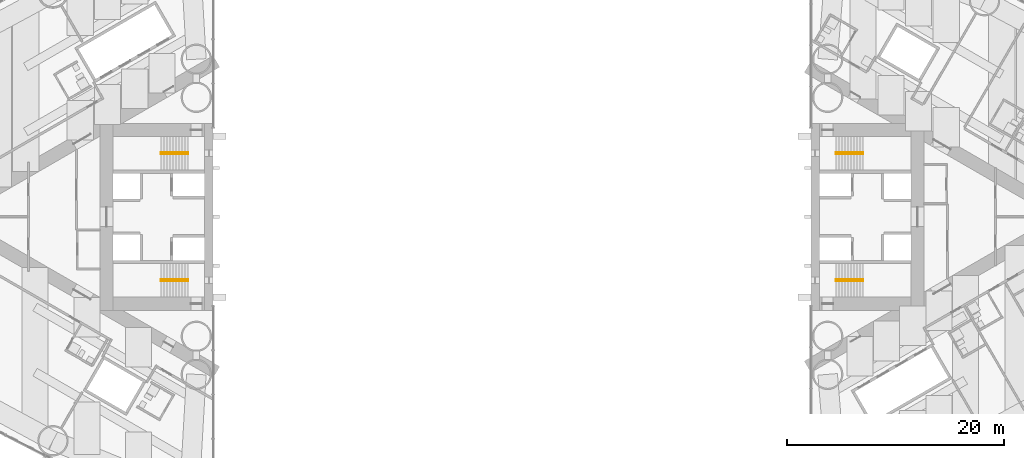
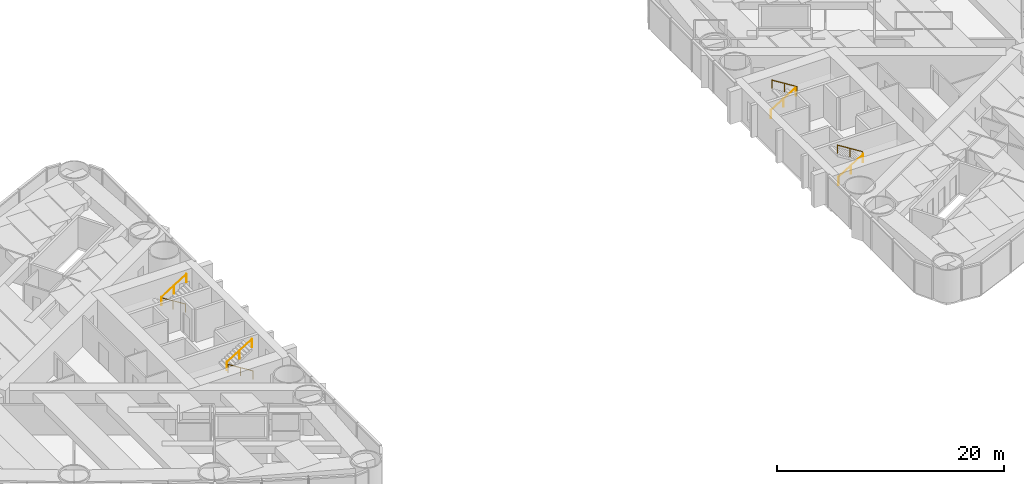
# One storey, part 18 of 19: 8 railings.
"""IFC4 building model written with IfcOpenShell, lengths in metres."""

from ifc_helpers import new_model, si_unit, direction, frame, origin, origin_2d, place, context, subcontext, project, spatial, circle, extrude, material, type_object, element, save


model = new_model("IFC4")

# Units and contexts
model_context = context("Model", 3, precision=1e-05, world=origin(), true_north=direction((0.0, 1.0)))
body_context = subcontext(model_context, "Body", "Model", "MODEL_VIEW")
ifc_project = project(units=[si_unit("LENGTHUNIT", "METRE"), si_unit("AREAUNIT", "SQUARE_METRE"), si_unit("VOLUMEUNIT", "CUBIC_METRE"), si_unit("PLANEANGLEUNIT", "RADIAN"), si_unit("MASSUNIT", "GRAM", prefix="KILO")], contexts=[model_context])

# Site, building, storey
site_placement = place(None, origin())
site = spatial("IfcSite", under=ifc_project, at=site_placement, CompositionType="ELEMENT")
building_placement = place(site_placement, origin())
building = spatial("IfcBuilding", under=site, at=building_placement, Name="Lancet Gate Hotel", CompositionType="ELEMENT")
storey_placement = place(building_placement, frame((0.0, 0.0, 63.5)))
storey = spatial("IfcBuildingStorey", under=building, at=storey_placement, Name="L16", CompositionType="ELEMENT", Elevation=63.5)

# Railings
ifc_material = material(Name="Stainless steel handrail", Category="steel")
railing_type = type_object("IfcRailingType", Name="Stair handrail 900", PredefinedType="HANDRAIL", material=ifc_material)
railing_1_placement = place(storey_placement, frame((-29.800048828125, 5.929931640625, 0.175048828125)))
element("IfcRailing", 1, at=railing_1_placement, inside=storey, type_object=railing_type, Name="ST1 handrail flight 1 L16", PredefinedType="HANDRAIL", context=body_context, shape_type="SweptSolid", body=[
    extrude(circle(Radius=0.02392578125, at=origin_2d()), frame((0.0, 0.0, 0.8759765625), z_axis=(-0.848007534815, 0.0, 0.529984170421), x_axis=(0.0, -1.0, 0.0)), (0.0, 0.0, 1.0), 2.9716796875),
    extrude(circle(Radius=0.02099609375, at=origin_2d()), origin(), (0.0, 0.0, 1.0), 0.851806640625),
    extrude(circle(Radius=0.02099609375, at=origin_2d()), frame((-1.260009765625, 0.0, 0.78759765625)), (0.0, 0.0, 1.0), 0.851806640625),
    extrude(circle(Radius=0.02099609375, at=origin_2d()), frame((-2.52001953125, 0.0, 1.574951171875)), (0.0, 0.0, 1.0), 0.851806640625),
])
railing_2_placement = place(storey_placement, frame((-32.320068359375, 5.77001953125, 1.925048828125)))
element("IfcRailing", 2, at=railing_2_placement, inside=storey, type_object=railing_type, Name="ST1 handrail flight 2 L16", PredefinedType="HANDRAIL", context=body_context, shape_type="SweptSolid", body=[
    extrude(circle(Radius=0.02392578125, at=origin_2d()), frame((0.0, 0.0, 0.8759765625), z_axis=(0.848007534815, 0.0, 0.529984170421), x_axis=(0.0, 1.0, 0.0)), (0.0, 0.0, 1.0), 2.9716796875),
    extrude(circle(Radius=0.02099609375, at=origin_2d()), origin(), (0.0, 0.0, 1.0), 0.851806640625),
    extrude(circle(Radius=0.02099609375, at=origin_2d()), frame((1.260009765625, 0.0, 0.78759765625)), (0.0, 0.0, 1.0), 0.851806640625),
    extrude(circle(Radius=0.02099609375, at=origin_2d()), frame((2.52001953125, 0.0, 1.574951171875)), (0.0, 0.0, 1.0), 0.851806640625),
])
railing_3_placement = place(storey_placement, frame((-29.800048828125, -5.929931640625, 0.175048828125)))
element("IfcRailing", 3, at=railing_3_placement, inside=storey, type_object=railing_type, Name="ST2 handrail flight 1 L16", PredefinedType="HANDRAIL", context=body_context, shape_type="SweptSolid", body=[
    extrude(circle(Radius=0.02392578125, at=origin_2d()), frame((0.0, 0.0, 0.8759765625), z_axis=(-0.848007534815, 0.0, 0.529984170421), x_axis=(0.0, -1.0, 0.0)), (0.0, 0.0, 1.0), 2.9716796875),
    extrude(circle(Radius=0.02099609375, at=origin_2d()), origin(), (0.0, 0.0, 1.0), 0.851806640625),
    extrude(circle(Radius=0.02099609375, at=origin_2d()), frame((-1.260009765625, 0.0, 0.78759765625)), (0.0, 0.0, 1.0), 0.851806640625),
    extrude(circle(Radius=0.02099609375, at=origin_2d()), frame((-2.52001953125, 0.0, 1.574951171875)), (0.0, 0.0, 1.0), 0.851806640625),
])
for number, where, name in (
    (4, (-32.320068359375, -5.77001953125, 1.925048828125), "ST2 handrail flight 2 L16"),
    (5, (29.800048828125, -5.929931640625, 0.175048828125), "ST3 handrail flight 1 L16"),
):
    element("IfcRailing", number, at=place(storey_placement, frame(where)), inside=storey, type_object=railing_type, Name=name, PredefinedType="HANDRAIL", context=body_context, shape_type="SweptSolid", body=[
        extrude(circle(Radius=0.02392578125, at=origin_2d()), frame((0.0, 0.0, 0.8759765625), z_axis=(0.848007534815, 0.0, 0.529984170421), x_axis=(0.0, 1.0, 0.0)), (0.0, 0.0, 1.0), 2.9716796875),
        extrude(circle(Radius=0.02099609375, at=origin_2d()), origin(), (0.0, 0.0, 1.0), 0.851806640625),
        extrude(circle(Radius=0.02099609375, at=origin_2d()), frame((1.260009765625, 0.0, 0.78759765625)), (0.0, 0.0, 1.0), 0.851806640625),
        extrude(circle(Radius=0.02099609375, at=origin_2d()), frame((2.52001953125, 0.0, 1.574951171875)), (0.0, 0.0, 1.0), 0.851806640625),
    ])
railing_4_placement = place(storey_placement, frame((32.320068359375, -5.77001953125, 1.925048828125)))
element("IfcRailing", 6, at=railing_4_placement, inside=storey, type_object=railing_type, Name="ST3 handrail flight 2 L16", PredefinedType="HANDRAIL", context=body_context, shape_type="SweptSolid", body=[
    extrude(circle(Radius=0.02392578125, at=origin_2d()), frame((0.0, 0.0, 0.8759765625), z_axis=(-0.848007534815, 0.0, 0.529984170421), x_axis=(0.0, -1.0, 0.0)), (0.0, 0.0, 1.0), 2.9716796875),
    extrude(circle(Radius=0.02099609375, at=origin_2d()), origin(), (0.0, 0.0, 1.0), 0.851806640625),
    extrude(circle(Radius=0.02099609375, at=origin_2d()), frame((-1.260009765625, 0.0, 0.78759765625)), (0.0, 0.0, 1.0), 0.851806640625),
    extrude(circle(Radius=0.02099609375, at=origin_2d()), frame((-2.52001953125, 0.0, 1.574951171875)), (0.0, 0.0, 1.0), 0.851806640625),
])
railing_5_placement = place(storey_placement, frame((29.800048828125, 5.929931640625, 0.175048828125)))
element("IfcRailing", 7, at=railing_5_placement, inside=storey, type_object=railing_type, Name="ST4 handrail flight 1 L16", PredefinedType="HANDRAIL", context=body_context, shape_type="SweptSolid", body=[
    extrude(circle(Radius=0.02392578125, at=origin_2d()), frame((0.0, 0.0, 0.8759765625), z_axis=(0.848007534815, 0.0, 0.529984170421), x_axis=(0.0, 1.0, 0.0)), (0.0, 0.0, 1.0), 2.9716796875),
    extrude(circle(Radius=0.02099609375, at=origin_2d()), origin(), (0.0, 0.0, 1.0), 0.851806640625),
    extrude(circle(Radius=0.02099609375, at=origin_2d()), frame((1.260009765625, 0.0, 0.78759765625)), (0.0, 0.0, 1.0), 0.851806640625),
    extrude(circle(Radius=0.02099609375, at=origin_2d()), frame((2.52001953125, 0.0, 1.574951171875)), (0.0, 0.0, 1.0), 0.851806640625),
])
railing_6_placement = place(storey_placement, frame((32.320068359375, 5.77001953125, 1.925048828125)))
element("IfcRailing", 8, at=railing_6_placement, inside=storey, type_object=railing_type, Name="ST4 handrail flight 2 L16", PredefinedType="HANDRAIL", context=body_context, shape_type="SweptSolid", body=[
    extrude(circle(Radius=0.02392578125, at=origin_2d()), frame((0.0, 0.0, 0.8759765625), z_axis=(-0.848007534815, 0.0, 0.529984170421), x_axis=(0.0, -1.0, 0.0)), (0.0, 0.0, 1.0), 2.9716796875),
    extrude(circle(Radius=0.02099609375, at=origin_2d()), origin(), (0.0, 0.0, 1.0), 0.851806640625),
    extrude(circle(Radius=0.02099609375, at=origin_2d()), frame((-1.260009765625, 0.0, 0.78759765625)), (0.0, 0.0, 1.0), 0.851806640625),
    extrude(circle(Radius=0.02099609375, at=origin_2d()), frame((-2.52001953125, 0.0, 1.574951171875)), (0.0, 0.0, 1.0), 0.851806640625),
])

save(model, "model.ifc")
